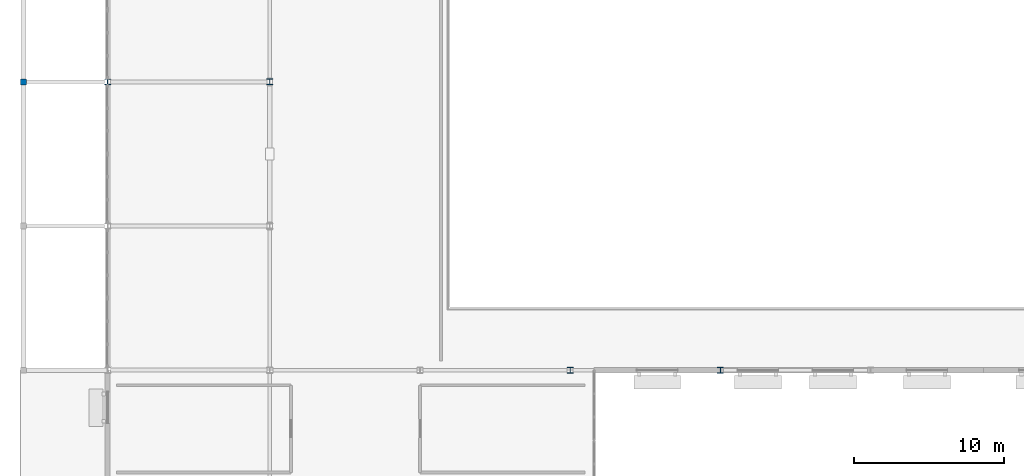
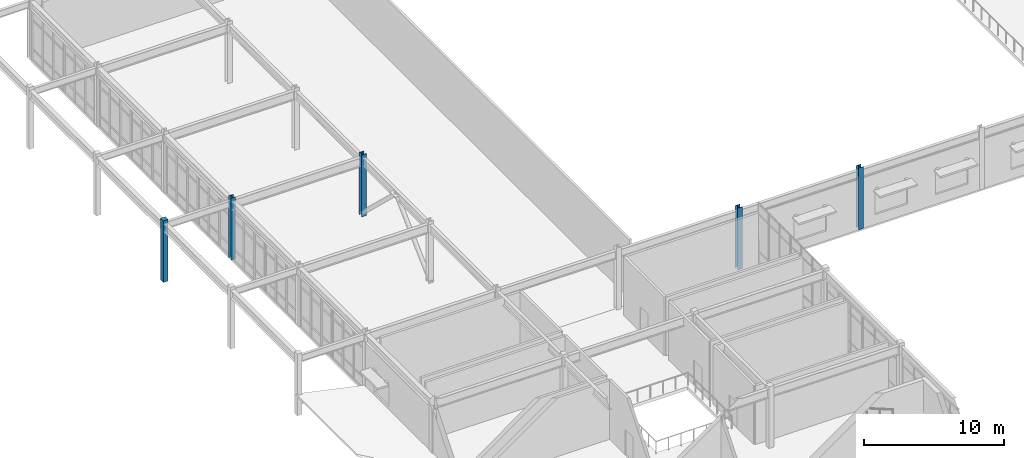
# One storey, part 2 of 72: 5 columns.
"""IFC4 building model written with IfcOpenShell, lengths in metres."""

from ifc_helpers import new_model, si_unit, direction, frame, origin, origin_2d, place, context, subcontext, project, spatial, rectangle, i_section, extrude, material, material_profile, profile_set, type_object, element, save


model = new_model("IFC4")

# Units and contexts
model_context = context("Model", 3, precision=1e-05, world=origin(), true_north=direction((0.0, 1.0)))
body_context = subcontext(model_context, "Body", "Model", "MODEL_VIEW")
ifc_project = project(units=[si_unit("LENGTHUNIT", "METRE"), si_unit("AREAUNIT", "SQUARE_METRE"), si_unit("VOLUMEUNIT", "CUBIC_METRE"), si_unit("PLANEANGLEUNIT", "RADIAN"), si_unit("MASSUNIT", "GRAM", prefix="KILO")], contexts=[model_context])

# Site, building, storey
site_placement = place(None, origin())
site = spatial("IfcSite", under=ifc_project, at=site_placement, CompositionType="ELEMENT")
building_placement = place(site_placement, origin())
building = spatial("IfcBuilding", under=site, at=building_placement, Name="Veldera Park Congress Hotel", CompositionType="ELEMENT")
storey_placement = place(building_placement, frame((0.0, 0.0, 5.39990234375)))
storey = spatial("IfcBuildingStorey", under=building, at=storey_placement, Name="L01", CompositionType="ELEMENT", Elevation=5.39990234375)

# Columns
ifc_material_1 = material(Name="Glulam GL28h (NDS 24F-V4)", Category="wood")
ifc_material_profile_1 = material_profile(ifc_material_1, rectangle(XDim=0.389892578125, YDim=0.389892578125, at=origin_2d()), Name="GL28h 390x390")
ifc_profile_set_1 = profile_set([ifc_material_profile_1], Name="Glulam GL28h (NDS 24F-V4)")
column_type_1 = type_object("IfcColumnType", Name="COL-GL36E", PredefinedType="COLUMN", material=ifc_profile_set_1)
column_1_placement = place(storey_placement, frame((-83.800048828125, -1.800048828125, 0.0), z_axis=(0.0, 0.0, 1.0), x_axis=(1.0, 0.0, 0.0)))
element("IfcColumn", 1, at=column_1_placement, inside=storey, type_object=column_type_1, Name="L01 Column COL-GL36E (-83.8,-1.8)", PredefinedType="COLUMN", context=body_context, shape_type="SweptSolid", body=[
    extrude(rectangle(XDim=0.389892578125, YDim=0.389892578125, at=origin_2d()), origin(), (0.0, 0.0, 1.0), 5.400146484375),
])
ifc_material_2 = material(Name="Steel ASTM A992 Gr.50", Category="steel")
ifc_material_profile_2 = material_profile(ifc_material_2, i_section(OverallWidth=0.39404296875, OverallDepth=0.375, WebThickness=0.017333984375, FlangeThickness=0.027587890625, at=origin_2d()), Name="W14X145")
ifc_profile_set_2 = profile_set([ifc_material_profile_2], Name="Steel ASTM A992 Gr.50")
column_type_2 = type_object("IfcColumnType", Name="COL-STL132E", PredefinedType="COLUMN", material=ifc_profile_set_2)
column_2_placement = place(storey_placement, frame((-78.199951171875, -1.800048828125, 0.0), z_axis=(0.0, 0.0, 1.0), x_axis=(1.0, 0.0, 0.0)))
element("IfcColumn", 2, at=column_2_placement, inside=storey, type_object=column_type_2, Name="L01 Column COL-STL132E (-78.2,-1.8)", PredefinedType="COLUMN", context=body_context, shape_type="SweptSolid", body=[
    extrude(i_section(OverallWidth=0.39404296875, OverallDepth=0.375, WebThickness=0.017333984375, FlangeThickness=0.027587890625, at=origin_2d()), origin(), (0.0, 0.0, 1.0), 5.400146484375),
])
ifc_material_profile_3 = material_profile(ifc_material_2, i_section(OverallWidth=0.39599609375, OverallDepth=0.381103515625, WebThickness=0.018798828125, FlangeThickness=0.0302734375, at=origin_2d()), Name="W14X159")
ifc_profile_set_3 = profile_set([ifc_material_profile_3], Name="Steel ASTM A992 Gr.50")
column_type_3 = type_object("IfcColumnType", Name="COL-STL159E", PredefinedType="COLUMN", material=ifc_profile_set_3)
for number, where, z_axis, x_axis, name in (
    (3, (-47.39990234375, -21.0, 0.0), (0.0, 0.0, 1.0), (1.0, 0.0, 0.0), "L01 Column COL-STL159E (-47.4,-21.0)"),
    (4, (-37.39990234375, -21.0, 0.0), (0.0, 0.0, 1.0), (1.0, 0.0, 0.0), "L01 Column COL-STL159E (-37.4,-21.0)"),
):
    element("IfcColumn", number, at=place(storey_placement, frame(where, z_axis=z_axis, x_axis=x_axis)), inside=storey, type_object=column_type_3, Name=name, PredefinedType="COLUMN", context=body_context, shape_type="SweptSolid", body=[
        extrude(i_section(OverallWidth=0.39599609375, OverallDepth=0.381103515625, WebThickness=0.018798828125, FlangeThickness=0.0302734375, at=origin_2d()), origin(), (0.0, 0.0, 1.0), 5.400146484375),
    ])
ifc_material_profile_4 = material_profile(ifc_material_2, i_section(OverallWidth=0.40087890625, OverallDepth=0.39892578125, WebThickness=0.02490234375, FlangeThickness=0.03955078125, at=origin_2d()), Name="W14X211")
ifc_profile_set_4 = profile_set([ifc_material_profile_4], Name="Steel ASTM A992 Gr.50")
column_type_4 = type_object("IfcColumnType", Name="COL-STL211", PredefinedType="COLUMN", material=ifc_profile_set_4)
column_3_placement = place(storey_placement, frame((-67.39990234375, -1.800048828125, 0.0), z_axis=(0.0, 0.0, 1.0), x_axis=(1.0, 0.0, 0.0)))
element("IfcColumn", 5, at=column_3_placement, inside=storey, type_object=column_type_4, Name="L01 Column COL-STL211 (-67.4,-1.8)", PredefinedType="COLUMN", context=body_context, shape_type="SweptSolid", body=[
    extrude(i_section(OverallWidth=0.40087890625, OverallDepth=0.39892578125, WebThickness=0.02490234375, FlangeThickness=0.03955078125, at=origin_2d()), origin(), (0.0, 0.0, 1.0), 5.400146484375),
])

save(model, "model.ifc")
